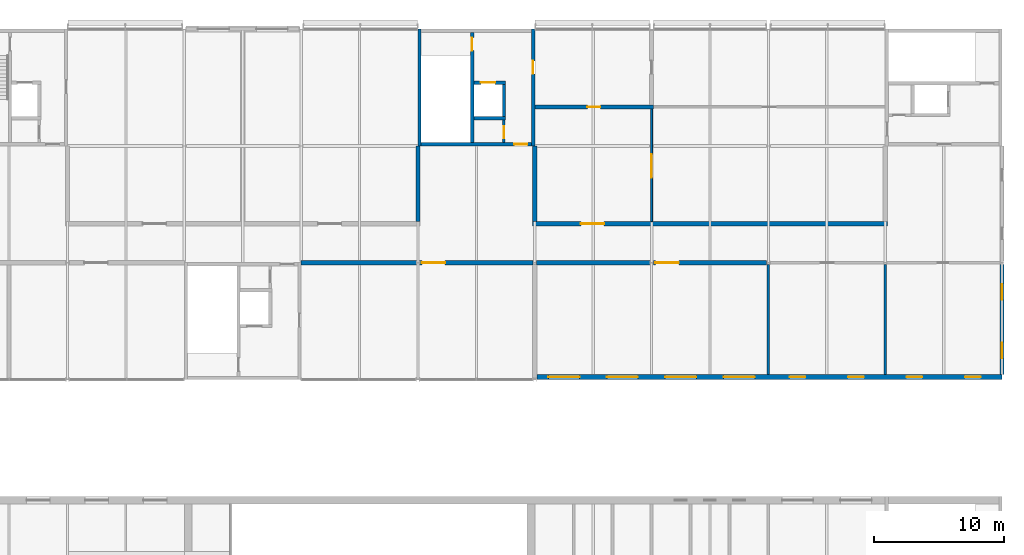
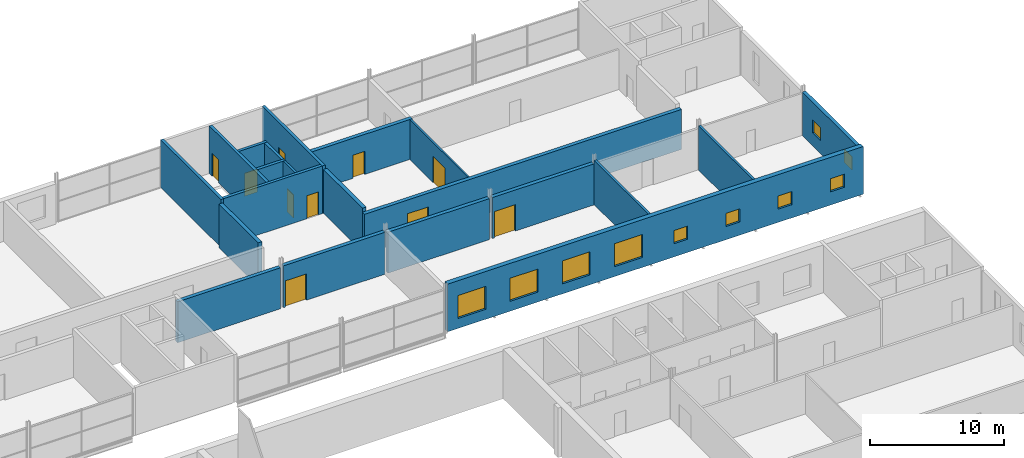
# One storey, part 130 of 138: 21 walls, 10 doors, 10 windows, 20 openings.
"""IFC4 building model written with IfcOpenShell, lengths in metres."""

from ifc_helpers import new_model, si_unit, direction, frame, frame_2d, origin, place, context, subcontext, project, spatial, rectangle, extrude, material, layer, layer_set, type_object, element, fill, save


model = new_model("IFC4")

# Units and contexts
model_context = context("Model", 3, precision=1e-05, world=origin(), true_north=direction((0.0, 1.0)))
body_context = subcontext(model_context, "Body", "Model", "MODEL_VIEW")
ifc_project = project(units=[si_unit("LENGTHUNIT", "METRE"), si_unit("AREAUNIT", "SQUARE_METRE"), si_unit("VOLUMEUNIT", "CUBIC_METRE"), si_unit("PLANEANGLEUNIT", "RADIAN"), si_unit("MASSUNIT", "GRAM", prefix="KILO")], contexts=[model_context])

# Site, building, storey
site_placement = place(None, origin())
site = spatial("IfcSite", under=ifc_project, at=site_placement, CompositionType="ELEMENT")
building_placement = place(site_placement, origin())
building = spatial("IfcBuilding", under=site, at=building_placement, Name="Corbel Yard City Hall", CompositionType="ELEMENT")
storey_placement = place(building_placement, frame((0.0, 0.0, 10.5)))
storey = spatial("IfcBuildingStorey", under=building, at=storey_placement, Name="L02", CompositionType="ELEMENT", Elevation=10.5)

# Wall, openings, windows
ifc_material_1 = material(Name="Concrete N50 (50 MPa)", Category="concrete")
ifc_layer_1 = layer(ifc_material_1, 0.39990234375)
ifc_layer_set_1 = layer_set([ifc_layer_1], Name="Concrete N50 (50 MPa)")
wall_type_1 = type_object("IfcWallType", Name="Bearing wall 400", PredefinedType="SHEAR", material=ifc_layer_set_1)
wall_1_placement = place(storey_placement, frame((144.159912109375, 90.199951171875, 0.0), z_axis=(0.0, 0.0, 1.0), x_axis=(1.0, 0.0, 0.0)))
wall_1 = element("IfcWall", 1, at=wall_1_placement, inside=storey, type_object=wall_type_1, Name="Bearing wall L02 above the ramp trough", PredefinedType="SHEAR", context=body_context, shape_type="SweptSolid", body=[
    extrude(rectangle(XDim=35.840087890625, YDim=0.39990234375, at=frame_2d((17.919921875, 0.0))), origin(), (0.0, 0.0, 1.0), 4.35009765625),
])
opening_1_placement = place(wall_1_placement, frame((0.889892578125, 0.0, 0.89990234375)))
opening_1 = element("IfcOpeningElement", 2, at=opening_1_placement, cuts=wall_1, Name="Opening WN8", PredefinedType="OPENING", context=body_context, shape_type="SweptSolid", body=[
    extrude(rectangle(XDim=2.39990234375, YDim=2.10009765625, at=frame_2d((1.199951171875, 1.050048828125))), frame((0.0, 0.2099609375, 0.0), z_axis=(0.0, -1.0, 0.0), x_axis=(1.0, 0.0, 0.0)), (0.0, 0.0, 1.0), 0.419921875),
])
opening_2_placement = place(wall_1_placement, frame((5.389892578125, 0.0, 0.89990234375)))
opening_2 = element("IfcOpeningElement", 3, at=opening_2_placement, cuts=wall_1, Name="Opening WN8", PredefinedType="OPENING", context=body_context, shape_type="SweptSolid", body=[
    extrude(rectangle(XDim=2.39990234375, YDim=2.10009765625, at=frame_2d((1.199951171875, 1.050048828125))), frame((0.0, 0.2099609375, 0.0), z_axis=(0.0, -1.0, 0.0), x_axis=(1.0, 0.0, 0.0)), (0.0, 0.0, 1.0), 0.419921875),
])
opening_3_placement = place(wall_1_placement, frame((9.889892578125, 0.0, 0.89990234375)))
opening_3 = element("IfcOpeningElement", 4, at=opening_3_placement, cuts=wall_1, Name="Opening WN8", PredefinedType="OPENING", context=body_context, shape_type="SweptSolid", body=[
    extrude(rectangle(XDim=2.39990234375, YDim=2.10009765625, at=frame_2d((1.199951171875, 1.050048828125))), frame((0.0, 0.2099609375, 0.0), z_axis=(0.0, -1.0, 0.0), x_axis=(1.0, 0.0, 0.0)), (0.0, 0.0, 1.0), 0.419921875),
])
opening_4_placement = place(wall_1_placement, frame((14.389892578125, 0.0, 0.89990234375)))
opening_4 = element("IfcOpeningElement", 5, at=opening_4_placement, cuts=wall_1, Name="Opening WN8", PredefinedType="OPENING", context=body_context, shape_type="SweptSolid", body=[
    extrude(rectangle(XDim=2.39990234375, YDim=2.10009765625, at=frame_2d((1.199951171875, 1.050048828125))), frame((0.0, 0.2099609375, 0.0), z_axis=(0.0, -1.0, 0.0), x_axis=(1.0, 0.0, 0.0)), (0.0, 0.0, 1.0), 0.419921875),
])
opening_5_placement = place(wall_1_placement, frame((19.489990234375, 0.0, 1.199951171875)))
opening_5 = element("IfcOpeningElement", 6, at=opening_5_placement, cuts=wall_1, Name="Opening WN13", PredefinedType="OPENING", context=body_context, shape_type="SweptSolid", body=[
    extrude(rectangle(XDim=1.199951171875, YDim=1.199951171875, at=frame_2d((0.60009765625, 0.60009765625))), frame((0.0, 0.2099609375, 0.0), z_axis=(0.0, -1.0, 0.0), x_axis=(1.0, 0.0, 0.0)), (0.0, 0.0, 1.0), 0.419921875),
])
opening_6_placement = place(wall_1_placement, frame((23.989990234375, 0.0, 1.199951171875)))
opening_6 = element("IfcOpeningElement", 7, at=opening_6_placement, cuts=wall_1, Name="Opening WN13", PredefinedType="OPENING", context=body_context, shape_type="SweptSolid", body=[
    extrude(rectangle(XDim=1.199951171875, YDim=1.199951171875, at=frame_2d((0.60009765625, 0.60009765625))), frame((0.0, 0.2099609375, 0.0), z_axis=(0.0, -1.0, 0.0), x_axis=(1.0, 0.0, 0.0)), (0.0, 0.0, 1.0), 0.419921875),
])
opening_7_placement = place(wall_1_placement, frame((28.489990234375, 0.0, 1.199951171875)))
opening_7 = element("IfcOpeningElement", 8, at=opening_7_placement, cuts=wall_1, Name="Opening WN13", PredefinedType="OPENING", context=body_context, shape_type="SweptSolid", body=[
    extrude(rectangle(XDim=1.199951171875, YDim=1.199951171875, at=frame_2d((0.60009765625, 0.60009765625))), frame((0.0, 0.2099609375, 0.0), z_axis=(0.0, -1.0, 0.0), x_axis=(1.0, 0.0, 0.0)), (0.0, 0.0, 1.0), 0.419921875),
])
opening_8_placement = place(wall_1_placement, frame((32.989990234375, 0.0, 1.199951171875)))
opening_8 = element("IfcOpeningElement", 9, at=opening_8_placement, cuts=wall_1, Name="Opening WN13", PredefinedType="OPENING", context=body_context, shape_type="SweptSolid", body=[
    extrude(rectangle(XDim=1.199951171875, YDim=1.199951171875, at=frame_2d((0.60009765625, 0.60009765625))), frame((0.0, 0.2099609375, 0.0), z_axis=(0.0, -1.0, 0.0), x_axis=(1.0, 0.0, 0.0)), (0.0, 0.0, 1.0), 0.419921875),
])
ifc_material_2 = material(Name="Aluminium frame, double glazed low-e glass", Category="aluminium")
window_type_1 = type_object("IfcWindowType", Name="WN13", PartitioningType="SINGLE_PANEL", PredefinedType="WINDOW", material=ifc_material_2)
window_1_placement = place(opening_5_placement, origin())
window_1 = element("IfcWindow", 10, at=window_1_placement, inside=storey, type_object=window_type_1, Name="Window WN13 L02", OverallHeight=1.199951171875, OverallWidth=1.199951171875, PartitioningType="SINGLE_PANEL", PredefinedType="WINDOW", context=body_context, shape_type="SweptSolid", body=[
    extrude(rectangle(XDim=1.199951171875, YDim=1.199951171875, at=frame_2d((0.60009765625, 0.60009765625))), frame((0.0, 0.030029296875, 0.0), z_axis=(0.0, -1.0, 0.0), x_axis=(1.0, 0.0, 0.0)), (0.0, 0.0, 1.0), 0.06005859375),
])
fill(opening_5, window_1)
window_2_placement = place(opening_6_placement, origin())
window_2 = element("IfcWindow", 11, at=window_2_placement, inside=storey, type_object=window_type_1, Name="Window WN13 L02", OverallHeight=1.199951171875, OverallWidth=1.199951171875, PartitioningType="SINGLE_PANEL", PredefinedType="WINDOW", context=body_context, shape_type="SweptSolid", body=[
    extrude(rectangle(XDim=1.199951171875, YDim=1.199951171875, at=frame_2d((0.60009765625, 0.60009765625))), frame((0.0, 0.030029296875, 0.0), z_axis=(0.0, -1.0, 0.0), x_axis=(1.0, 0.0, 0.0)), (0.0, 0.0, 1.0), 0.06005859375),
])
fill(opening_6, window_2)
window_3_placement = place(opening_7_placement, origin())
window_3 = element("IfcWindow", 12, at=window_3_placement, inside=storey, type_object=window_type_1, Name="Window WN13 L02", OverallHeight=1.199951171875, OverallWidth=1.199951171875, PartitioningType="SINGLE_PANEL", PredefinedType="WINDOW", context=body_context, shape_type="SweptSolid", body=[
    extrude(rectangle(XDim=1.199951171875, YDim=1.199951171875, at=frame_2d((0.60009765625, 0.60009765625))), frame((0.0, 0.030029296875, 0.0), z_axis=(0.0, -1.0, 0.0), x_axis=(1.0, 0.0, 0.0)), (0.0, 0.0, 1.0), 0.06005859375),
])
fill(opening_7, window_3)
window_4_placement = place(opening_8_placement, origin())
window_4 = element("IfcWindow", 13, at=window_4_placement, inside=storey, type_object=window_type_1, Name="Window WN13 L02", OverallHeight=1.199951171875, OverallWidth=1.199951171875, PartitioningType="SINGLE_PANEL", PredefinedType="WINDOW", context=body_context, shape_type="SweptSolid", body=[
    extrude(rectangle(XDim=1.199951171875, YDim=1.199951171875, at=frame_2d((0.60009765625, 0.60009765625))), frame((0.0, 0.030029296875, 0.0), z_axis=(0.0, -1.0, 0.0), x_axis=(1.0, 0.0, 0.0)), (0.0, 0.0, 1.0), 0.06005859375),
])
fill(opening_8, window_4)
window_type_2 = type_object("IfcWindowType", Name="WN8", PartitioningType="SINGLE_PANEL", PredefinedType="WINDOW", material=ifc_material_2)
window_5_placement = place(opening_1_placement, origin())
window_5 = element("IfcWindow", 14, at=window_5_placement, inside=storey, type_object=window_type_2, Name="Window WN8 L02", OverallHeight=2.10009765625, OverallWidth=2.39990234375, PartitioningType="SINGLE_PANEL", PredefinedType="WINDOW", context=body_context, shape_type="SweptSolid", body=[
    extrude(rectangle(XDim=2.39990234375, YDim=2.10009765625, at=frame_2d((1.199951171875, 1.050048828125))), frame((0.0, 0.030029296875, 0.0), z_axis=(0.0, -1.0, 0.0), x_axis=(1.0, 0.0, 0.0)), (0.0, 0.0, 1.0), 0.06005859375),
])
fill(opening_1, window_5)
window_6_placement = place(opening_2_placement, origin())
window_6 = element("IfcWindow", 15, at=window_6_placement, inside=storey, type_object=window_type_2, Name="Window WN8 L02", OverallHeight=2.10009765625, OverallWidth=2.39990234375, PartitioningType="SINGLE_PANEL", PredefinedType="WINDOW", context=body_context, shape_type="SweptSolid", body=[
    extrude(rectangle(XDim=2.39990234375, YDim=2.10009765625, at=frame_2d((1.199951171875, 1.050048828125))), frame((0.0, 0.030029296875, 0.0), z_axis=(0.0, -1.0, 0.0), x_axis=(1.0, 0.0, 0.0)), (0.0, 0.0, 1.0), 0.06005859375),
])
fill(opening_2, window_6)
window_7_placement = place(opening_3_placement, origin())
window_7 = element("IfcWindow", 16, at=window_7_placement, inside=storey, type_object=window_type_2, Name="Window WN8 L02", OverallHeight=2.10009765625, OverallWidth=2.39990234375, PartitioningType="SINGLE_PANEL", PredefinedType="WINDOW", context=body_context, shape_type="SweptSolid", body=[
    extrude(rectangle(XDim=2.39990234375, YDim=2.10009765625, at=frame_2d((1.199951171875, 1.050048828125))), frame((0.0, 0.030029296875, 0.0), z_axis=(0.0, -1.0, 0.0), x_axis=(1.0, 0.0, 0.0)), (0.0, 0.0, 1.0), 0.06005859375),
])
fill(opening_3, window_7)
window_8_placement = place(opening_4_placement, origin())
window_8 = element("IfcWindow", 17, at=window_8_placement, inside=storey, type_object=window_type_2, Name="Window WN8 L02", OverallHeight=2.10009765625, OverallWidth=2.39990234375, PartitioningType="SINGLE_PANEL", PredefinedType="WINDOW", context=body_context, shape_type="SweptSolid", body=[
    extrude(rectangle(XDim=2.39990234375, YDim=2.10009765625, at=frame_2d((1.199951171875, 1.050048828125))), frame((0.0, 0.030029296875, 0.0), z_axis=(0.0, -1.0, 0.0), x_axis=(1.0, 0.0, 0.0)), (0.0, 0.0, 1.0), 0.06005859375),
])
fill(opening_4, window_8)

# Wall
ifc_layer_2 = layer(ifc_material_1, 0.25)
ifc_layer_set_2 = layer_set([ifc_layer_2], Name="Concrete N50 (50 MPa)")
wall_type_2 = type_object("IfcWallType", Name="Core cell wall 250", PredefinedType="SHEAR", material=ifc_layer_set_2)
wall_2_placement = place(storey_placement, frame((135.125, 108.0, 0.0), z_axis=(0.0, 0.0, 1.0), x_axis=(0.0, 1.0, 0.0)))
element("IfcWall", 18, at=wall_2_placement, inside=storey, type_object=wall_type_2, Name="Core PC-N3 west wall", PredefinedType="SHEAR", context=body_context, shape_type="SweptSolid", body=[
    extrude(rectangle(XDim=9.0, YDim=0.25, at=frame_2d((4.5, 0.0))), origin(), (0.0, 0.0, 1.0), 4.35009765625),
])

# Wall, opening, door
wall_3_placement = place(storey_placement, frame((143.875, 108.0, 0.0), z_axis=(0.0, 0.0, 1.0), x_axis=(0.0, 1.0, 0.0)))
wall_3 = element("IfcWall", 19, at=wall_3_placement, inside=storey, type_object=wall_type_2, Name="Core PC-N3 east wall", PredefinedType="SHEAR", context=body_context, shape_type="SweptSolid", body=[
    extrude(rectangle(XDim=9.0, YDim=0.25, at=frame_2d((4.5, 0.0))), origin(), (0.0, 0.0, 1.0), 4.35009765625),
])
opening_9_placement = place(wall_3_placement, frame((5.550048828125, 0.0, 0.0)))
opening_9 = element("IfcOpeningElement", 20, at=opening_9_placement, cuts=wall_3, Name="Opening L02-144", PredefinedType="OPENING", context=body_context, shape_type="SweptSolid", body=[
    extrude(rectangle(XDim=1.0, YDim=2.10009765625, at=frame_2d((0.5, 1.050048828125))), frame((0.0, 0.135009765625, 0.0), z_axis=(0.0, -1.0, 0.0), x_axis=(1.0, 0.0, 0.0)), (0.0, 0.0, 1.0), 0.27001953125),
])
ifc_material_3 = material(Name="Steel Grade G250", Category="steel")
door_type_1 = type_object("IfcDoorType", Name="FS1", OperationType="SINGLE_SWING_LEFT", PredefinedType="DOOR", material=ifc_material_3)
door_1_placement = place(opening_9_placement, frame((1.0, 0.0, 0.0), z_axis=(0.0, 0.0, 1.0), x_axis=(-1.0, 0.0, 0.0)))
door_1 = element("IfcDoor", 21, at=door_1_placement, inside=storey, type_object=door_type_1, Name="Door Lift Lobby", OperationType="SINGLE_SWING_RIGHT", OverallHeight=2.10009765625, OverallWidth=1.0, PredefinedType="DOOR", context=body_context, shape_type="SweptSolid", body=[
    extrude(rectangle(XDim=1.0, YDim=2.10009765625, at=frame_2d((0.5, 1.050048828125))), frame((0.0, 0.02490234375, 0.0), z_axis=(0.0, -1.0, 0.0), x_axis=(1.0, 0.0, 0.0)), (0.0, 0.0, 1.0), 0.050048828125),
])
fill(opening_9, door_1)

wall_4_placement = place(storey_placement, frame((135.25, 108.125, 0.0), z_axis=(0.0, 0.0, 1.0), x_axis=(1.0, 0.0, 0.0)))
wall_4 = element("IfcWall", 22, at=wall_4_placement, inside=storey, type_object=wall_type_2, Name="Core PC-N3 south wall", PredefinedType="SHEAR", context=body_context, shape_type="SweptSolid", body=[
    extrude(rectangle(XDim=8.5, YDim=0.25, at=frame_2d((4.25, 0.0))), origin(), (0.0, 0.0, 1.0), 4.35009765625),
])
opening_10_placement = place(wall_4_placement, frame((7.175048828125, 0.0, 0.0)))
opening_10 = element("IfcOpeningElement", 23, at=opening_10_placement, cuts=wall_4, Name="Opening L02-143", PredefinedType="OPENING", context=body_context, shape_type="SweptSolid", body=[
    extrude(rectangle(XDim=1.0, YDim=2.10009765625, at=frame_2d((0.5, 1.050048828125))), frame((0.0, 0.135009765625, 0.0), z_axis=(0.0, -1.0, 0.0), x_axis=(1.0, 0.0, 0.0)), (0.0, 0.0, 1.0), 0.27001953125),
])
door_2_placement = place(opening_10_placement, origin())
door_2 = element("IfcDoor", 24, at=door_2_placement, inside=storey, type_object=door_type_1, Name="Door Lift Lobby", OperationType="SINGLE_SWING_RIGHT", OverallHeight=2.10009765625, OverallWidth=1.0, PredefinedType="DOOR", context=body_context, shape_type="SweptSolid", body=[
    extrude(rectangle(XDim=1.0, YDim=2.10009765625, at=frame_2d((0.5, 1.050048828125))), frame((0.0, 0.02490234375, 0.0), z_axis=(0.0, -1.0, 0.0), x_axis=(1.0, 0.0, 0.0)), (0.0, 0.0, 1.0), 0.050048828125),
])
fill(opening_10, door_2)

# Wall, openings, windows
ifc_material_4 = material(Name="Sandstone cladding", Category="masonry")
ifc_layer_3 = layer(ifc_material_4, 0.0400390625)
ifc_material_5 = material(Name="Air cavity", Category="air")
ifc_layer_4 = layer(ifc_material_5, 0.0400390625)
ifc_material_6 = material(Name="Concrete block", Category="concrete")
ifc_layer_5 = layer(ifc_material_6, 0.18994140625)
ifc_material_7 = material(Name="Gypsum plasterboard", Category="gypsum")
ifc_layer_6 = layer(ifc_material_7, 0.030029296875)
ifc_layer_set_3 = layer_set([ifc_layer_3, ifc_layer_4, ifc_layer_5, ifc_layer_6], Name="Concrete block")
wall_type_3 = type_object("IfcWallType", Name="EW1", PredefinedType="SOLIDWALL", material=ifc_layer_set_3)
wall_5_placement = place(storey_placement, frame((180.0, 90.39990234375, 0.0), z_axis=(0.0, 0.0, 1.0), x_axis=(0.0, 1.0, 0.0)))
wall_5 = element("IfcWall", 25, at=wall_5_placement, inside=storey, type_object=wall_type_3, Name="External wall", PredefinedType="SOLIDWALL", context=body_context, shape_type="SweptSolid", body=[
    extrude(rectangle(XDim=8.47314453125, YDim=0.300048828125, at=frame_2d((4.236572265625, 0.0))), origin(), (0.0, 0.0, 1.0), 3.990966796875),
])
opening_11_placement = place(wall_5_placement, frame((1.25, 0.0, 1.199951171875)))
opening_11 = element("IfcOpeningElement", 26, at=opening_11_placement, cuts=wall_5, Name="Opening WN13", PredefinedType="OPENING", context=body_context, shape_type="SweptSolid", body=[
    extrude(rectangle(XDim=1.199951171875, YDim=1.199951171875, at=frame_2d((0.60009765625, 0.60009765625))), frame((0.0, 0.159912109375, 0.0), z_axis=(0.0, -1.0, 0.0), x_axis=(1.0, 0.0, 0.0)), (0.0, 0.0, 1.0), 0.320068359375),
])
opening_12_placement = place(wall_5_placement, frame((5.75, 0.0, 1.199951171875)))
opening_12 = element("IfcOpeningElement", 27, at=opening_12_placement, cuts=wall_5, Name="Opening WN13", PredefinedType="OPENING", context=body_context, shape_type="SweptSolid", body=[
    extrude(rectangle(XDim=1.199951171875, YDim=1.199951171875, at=frame_2d((0.60009765625, 0.60009765625))), frame((0.0, 0.159912109375, 0.0), z_axis=(0.0, -1.0, 0.0), x_axis=(1.0, 0.0, 0.0)), (0.0, 0.0, 1.0), 0.320068359375),
])
window_9_placement = place(opening_11_placement, origin())
window_9 = element("IfcWindow", 28, at=window_9_placement, inside=storey, type_object=window_type_1, Name="Window WN13 L02", OverallHeight=1.199951171875, OverallWidth=1.199951171875, PartitioningType="SINGLE_PANEL", PredefinedType="WINDOW", context=body_context, shape_type="SweptSolid", body=[
    extrude(rectangle(XDim=1.199951171875, YDim=1.199951171875, at=frame_2d((0.60009765625, 0.60009765625))), frame((0.0, 0.030029296875, 0.0), z_axis=(0.0, -1.0, 0.0), x_axis=(1.0, 0.0, 0.0)), (0.0, 0.0, 1.0), 0.06005859375),
])
fill(opening_11, window_9)
window_10_placement = place(opening_12_placement, origin())
window_10 = element("IfcWindow", 29, at=window_10_placement, inside=storey, type_object=window_type_1, Name="Window WN13 L02", OverallHeight=1.199951171875, OverallWidth=1.199951171875, PartitioningType="SINGLE_PANEL", PredefinedType="WINDOW", context=body_context, shape_type="SweptSolid", body=[
    extrude(rectangle(XDim=1.199951171875, YDim=1.199951171875, at=frame_2d((0.60009765625, 0.60009765625))), frame((0.0, 0.030029296875, 0.0), z_axis=(0.0, -1.0, 0.0), x_axis=(1.0, 0.0, 0.0)), (0.0, 0.0, 1.0), 0.06005859375),
])
fill(opening_12, window_10)

# Wall, opening, door
ifc_material_8 = material(Name="Concrete N40 (40 MPa)", Category="concrete")
ifc_layer_7 = layer(ifc_material_8, 0.25)
ifc_layer_set_4 = layer_set([ifc_layer_7], Name="Concrete N40 (40 MPa)")
wall_type_4 = type_object("IfcWallType", Name="IW2", PredefinedType="SOLIDWALL", material=ifc_layer_set_4)
wall_6_placement = place(storey_placement, frame((139.175048828125, 116.75, 0.0), z_axis=(0.0, 0.0, 1.0), x_axis=(0.0, -1.0, 0.0)))
wall_6 = element("IfcWall", 30, at=wall_6_placement, inside=storey, type_object=wall_type_4, Name="Stair enclosure wall", PredefinedType="SOLIDWALL", context=body_context, shape_type="SweptSolid", body=[
    extrude(rectangle(XDim=8.5, YDim=0.25, at=frame_2d((4.25, 0.0))), origin(), (0.0, 0.0, 1.0), 4.35009765625),
])
opening_13_placement = place(wall_6_placement, frame((0.39990234375, 0.0, 0.0)))
opening_13 = element("IfcOpeningElement", 31, at=opening_13_placement, cuts=wall_6, Name="Opening L02-131", PredefinedType="OPENING", context=body_context, shape_type="SweptSolid", body=[
    extrude(rectangle(XDim=1.0, YDim=2.10009765625, at=frame_2d((0.5, 1.050048828125))), frame((0.0, 0.135009765625, 0.0), z_axis=(0.0, -1.0, 0.0), x_axis=(1.0, 0.0, 0.0)), (0.0, 0.0, 1.0), 0.27001953125),
])
door_3_placement = place(opening_13_placement, frame((1.0, 0.0, 0.0), z_axis=(0.0, 0.0, 1.0), x_axis=(-1.0, 0.0, 0.0)))
door_3 = element("IfcDoor", 32, at=door_3_placement, inside=storey, type_object=door_type_1, Name="Door Exit Stair 18", OperationType="SINGLE_SWING_RIGHT", OverallHeight=2.10009765625, OverallWidth=1.0, PredefinedType="DOOR", context=body_context, shape_type="SweptSolid", body=[
    extrude(rectangle(XDim=1.0, YDim=2.10009765625, at=frame_2d((0.5, 1.050048828125))), frame((0.0, 0.02490234375, 0.0), z_axis=(0.0, -1.0, 0.0), x_axis=(1.0, 0.0, 0.0)), (0.0, 0.0, 1.0), 0.050048828125),
])
fill(opening_13, door_3)

# Wall
wall_7_placement = place(storey_placement, frame((139.300048828125, 110.125, 0.0), z_axis=(0.0, 0.0, 1.0), x_axis=(1.0, 0.0, 0.0)))
element("IfcWall", 33, at=wall_7_placement, inside=storey, type_object=wall_type_4, Name="Lift LP18 shaft wall", PredefinedType="SOLIDWALL", context=body_context, shape_type="SweptSolid", body=[
    extrude(rectangle(XDim=2.449951171875, YDim=0.25, at=frame_2d((1.22509765625, 0.0))), origin(), (0.0, 0.0, 1.0), 4.35009765625),
])

# Wall, opening, door
wall_8_placement = place(storey_placement, frame((139.300048828125, 112.875, 0.0), z_axis=(0.0, 0.0, 1.0), x_axis=(1.0, 0.0, 0.0)))
wall_8 = element("IfcWall", 34, at=wall_8_placement, inside=storey, type_object=wall_type_4, Name="Lift LP18 shaft wall", PredefinedType="SOLIDWALL", context=body_context, shape_type="SweptSolid", body=[
    extrude(rectangle(XDim=2.449951171875, YDim=0.25, at=frame_2d((1.22509765625, 0.0))), origin(), (0.0, 0.0, 1.0), 4.35009765625),
])
opening_14_placement = place(wall_8_placement, frame((0.550048828125, 0.0, 0.0)))
opening_14 = element("IfcOpeningElement", 35, at=opening_14_placement, cuts=wall_8, Name="Opening L02-123", PredefinedType="OPENING", context=body_context, shape_type="SweptSolid", body=[
    extrude(rectangle(XDim=1.10009765625, YDim=2.10009765625, at=frame_2d((0.550048828125, 1.050048828125))), frame((0.0, 0.135009765625, 0.0), z_axis=(0.0, -1.0, 0.0), x_axis=(1.0, 0.0, 0.0)), (0.0, 0.0, 1.0), 0.27001953125),
])
ifc_material_9 = material(Name="Stainless steel Grade 316", Category="steel")
door_type_2 = type_object("IfcDoorType", Name="LD1", OperationType="DOUBLE_DOOR_SLIDING", PredefinedType="DOOR", material=ifc_material_9)
door_4_placement = place(opening_14_placement, origin())
door_4 = element("IfcDoor", 36, at=door_4_placement, inside=storey, type_object=door_type_2, Name="Lift LP18 landing door", OperationType="DOUBLE_DOOR_SLIDING", OverallHeight=2.10009765625, OverallWidth=1.10009765625, PredefinedType="DOOR", context=body_context, shape_type="SweptSolid", body=[
    extrude(rectangle(XDim=1.10009765625, YDim=2.10009765625, at=frame_2d((0.550048828125, 1.050048828125))), frame((0.0, 0.02490234375, 0.0), z_axis=(0.0, -1.0, 0.0), x_axis=(1.0, 0.0, 0.0)), (0.0, 0.0, 1.0), 0.050048828125),
])
fill(opening_14, door_4)

# Walls
wall_9_placement = place(storey_placement, frame((141.625, 110.25, 0.0), z_axis=(0.0, 0.0, 1.0), x_axis=(0.0, 1.0, 0.0)))
element("IfcWall", 37, at=wall_9_placement, inside=storey, type_object=wall_type_4, Name="Lift LP18 shaft wall", PredefinedType="SOLIDWALL", context=body_context, shape_type="SweptSolid", body=[
    extrude(rectangle(XDim=2.5, YDim=0.25, at=frame_2d((1.25, 0.0))), origin(), (0.0, 0.0, 1.0), 4.35009765625),
])
ifc_layer_8 = layer(ifc_material_7, 0.031982421875)
ifc_material_10 = material(Name="Steel Grade G550 (550 MPa yield)", Category="steel")
ifc_layer_9 = layer(ifc_material_10, 0.260986328125)
ifc_layer_10 = layer(ifc_material_7, 0.031982421875)
ifc_layer_set_5 = layer_set([ifc_layer_8, ifc_layer_9, ifc_layer_10], Name="Steel Grade G550 (550 MPa yield)")
wall_type_5 = type_object("IfcWallType", Name="PT20", PredefinedType="PARTITIONING", material=ifc_layer_set_5)
wall_10_placement = place(storey_placement, frame((126.0, 99.0, 0.0), z_axis=(0.0, 0.0, 1.0), x_axis=(1.0, 0.0, 0.0)))
element("IfcWall", 38, at=wall_10_placement, inside=storey, type_object=wall_type_5, Name="Acoustic partition", PredefinedType="PARTITIONING", context=body_context, shape_type="SweptSolid", body=[
    extrude(rectangle(XDim=8.8701171875, YDim=0.324951171875, at=frame_2d((4.43505859375, 0.0))), origin(), (0.0, 0.0, 1.0), 3.738037109375),
])

# Wall, opening, door
wall_11_placement = place(storey_placement, frame((135.1298828125, 99.0, 0.0), z_axis=(0.0, 0.0, 1.0), x_axis=(1.0, 0.0, 0.0)))
wall_11 = element("IfcWall", 39, at=wall_11_placement, inside=storey, type_object=wall_type_5, Name="Acoustic partition", PredefinedType="PARTITIONING", context=body_context, shape_type="SweptSolid", body=[
    extrude(rectangle(XDim=8.740234375, YDim=0.324951171875, at=frame_2d((4.3701171875, 0.0))), origin(), (0.0, 0.0, 1.0), 3.822021484375),
])
opening_15_placement = place(wall_11_placement, frame((0.169921875, 0.0, 0.0)))
opening_15 = element("IfcOpeningElement", 40, at=opening_15_placement, cuts=wall_11, Name="Opening L02-168", PredefinedType="OPENING", context=body_context, shape_type="SweptSolid", body=[
    extrude(rectangle(XDim=1.800048828125, YDim=2.39990234375, at=frame_2d((0.89990234375, 1.199951171875))), frame((0.0, 0.17236328125, 0.0), z_axis=(0.0, -1.0, 0.0), x_axis=(1.0, 0.0, 0.0)), (0.0, 0.0, 1.0), 0.344970703125),
])
ifc_material_11 = material(Name="Timber", Category="wood")
door_type_3 = type_object("IfcDoorType", Name="D38", OperationType="DOUBLE_DOOR_SINGLE_SWING", PredefinedType="DOOR", material=ifc_material_11)
door_5_placement = place(opening_15_placement, origin())
door_5 = element("IfcDoor", 41, at=door_5_placement, inside=storey, type_object=door_type_3, Name="Door Committee Room 21", OperationType="DOUBLE_DOOR_SINGLE_SWING", OverallHeight=2.39990234375, OverallWidth=1.800048828125, PredefinedType="DOOR", context=body_context, shape_type="SweptSolid", body=[
    extrude(rectangle(XDim=1.800048828125, YDim=2.39990234375, at=frame_2d((0.89990234375, 1.199951171875))), frame((0.0, 0.02490234375, 0.0), z_axis=(0.0, -1.0, 0.0), x_axis=(1.0, 0.0, 0.0)), (0.0, 0.0, 1.0), 0.050048828125),
])
fill(opening_15, door_5)

# Wall
wall_12_placement = place(storey_placement, frame((144.1298828125, 99.0, 0.0), z_axis=(0.0, 0.0, 1.0), x_axis=(1.0, 0.0, 0.0)))
element("IfcWall", 42, at=wall_12_placement, inside=storey, type_object=wall_type_5, Name="Acoustic partition", PredefinedType="PARTITIONING", context=body_context, shape_type="SweptSolid", body=[
    extrude(rectangle(XDim=8.740234375, YDim=0.324951171875, at=frame_2d((4.3701171875, 0.0))), origin(), (0.0, 0.0, 1.0), 3.738037109375),
])

# Wall, opening, door
wall_13_placement = place(storey_placement, frame((153.1298828125, 99.0, 0.0), z_axis=(0.0, 0.0, 1.0), x_axis=(1.0, 0.0, 0.0)))
wall_13 = element("IfcWall", 43, at=wall_13_placement, inside=storey, type_object=wall_type_5, Name="Acoustic partition", PredefinedType="PARTITIONING", context=body_context, shape_type="SweptSolid", body=[
    extrude(rectangle(XDim=8.740234375, YDim=0.324951171875, at=frame_2d((4.3701171875, 0.0))), origin(), (0.0, 0.0, 1.0), 3.738037109375),
])
opening_16_placement = place(wall_13_placement, frame((0.169921875, 0.0, 0.0)))
opening_16 = element("IfcOpeningElement", 44, at=opening_16_placement, cuts=wall_13, Name="Opening L02-169", PredefinedType="OPENING", context=body_context, shape_type="SweptSolid", body=[
    extrude(rectangle(XDim=1.800048828125, YDim=2.39990234375, at=frame_2d((0.89990234375, 1.199951171875))), frame((0.0, 0.17236328125, 0.0), z_axis=(0.0, -1.0, 0.0), x_axis=(1.0, 0.0, 0.0)), (0.0, 0.0, 1.0), 0.344970703125),
])
door_6_placement = place(opening_16_placement, origin())
door_6 = element("IfcDoor", 45, at=door_6_placement, inside=storey, type_object=door_type_3, Name="Door Committee Room 22", OperationType="DOUBLE_DOOR_SINGLE_SWING", OverallHeight=2.39990234375, OverallWidth=1.800048828125, PredefinedType="DOOR", context=body_context, shape_type="SweptSolid", body=[
    extrude(rectangle(XDim=1.800048828125, YDim=2.39990234375, at=frame_2d((0.89990234375, 1.199951171875))), frame((0.0, 0.02490234375, 0.0), z_axis=(0.0, -1.0, 0.0), x_axis=(1.0, 0.0, 0.0)), (0.0, 0.0, 1.0), 0.050048828125),
])
fill(opening_16, door_6)

wall_14_placement = place(storey_placement, frame((143.83740234375, 102.0, 0.0), z_axis=(0.0, 0.0, 1.0), x_axis=(1.0, 0.0, 0.0)))
wall_14 = element("IfcWall", 46, at=wall_14_placement, inside=storey, type_object=wall_type_5, Name="Acoustic partition", PredefinedType="PARTITIONING", context=body_context, shape_type="SweptSolid", body=[
    extrude(rectangle(XDim=27.3251953125, YDim=0.324951171875, at=frame_2d((13.66259765625, 0.0))), origin(), (0.0, 0.0, 1.0), 3.64990234375),
])
opening_17_placement = place(wall_14_placement, frame((3.71240234375, 0.0, 0.0)))
opening_17 = element("IfcOpeningElement", 47, at=opening_17_placement, cuts=wall_14, Name="Opening L02-177", PredefinedType="OPENING", context=body_context, shape_type="SweptSolid", body=[
    extrude(rectangle(XDim=1.800048828125, YDim=2.39990234375, at=frame_2d((0.89990234375, 1.199951171875))), frame((0.0, 0.17236328125, 0.0), z_axis=(0.0, -1.0, 0.0), x_axis=(1.0, 0.0, 0.0)), (0.0, 0.0, 1.0), 0.344970703125),
])
door_7_placement = place(opening_17_placement, origin())
door_7 = element("IfcDoor", 48, at=door_7_placement, inside=storey, type_object=door_type_3, Name="Door Lord Mayor's Anteroom", OperationType="DOUBLE_DOOR_SINGLE_SWING", OverallHeight=2.39990234375, OverallWidth=1.800048828125, PredefinedType="DOOR", context=body_context, shape_type="SweptSolid", body=[
    extrude(rectangle(XDim=1.800048828125, YDim=2.39990234375, at=frame_2d((0.89990234375, 1.199951171875))), frame((0.0, 0.02490234375, 0.0), z_axis=(0.0, -1.0, 0.0), x_axis=(1.0, 0.0, 0.0)), (0.0, 0.0, 1.0), 0.050048828125),
])
fill(opening_17, door_7)

wall_15_placement = place(storey_placement, frame((144.0, 111.0, 0.0), z_axis=(0.0, 0.0, 1.0), x_axis=(1.0, 0.0, 0.0)))
wall_15 = element("IfcWall", 49, at=wall_15_placement, inside=storey, type_object=wall_type_5, Name="Acoustic partition", PredefinedType="PARTITIONING", context=body_context, shape_type="SweptSolid", body=[
    extrude(rectangle(XDim=9.16259765625, YDim=0.324951171875, at=frame_2d((4.581298828125, 0.0))), origin(), (0.0, 0.0, 1.0), 3.64990234375),
])
opening_18_placement = place(wall_15_placement, frame((4.050048828125, 0.0, 0.0)))
opening_18 = element("IfcOpeningElement", 50, at=opening_18_placement, cuts=wall_15, Name="Opening L02-178", PredefinedType="OPENING", context=body_context, shape_type="SweptSolid", body=[
    extrude(rectangle(XDim=1.0, YDim=2.10009765625, at=frame_2d((0.5, 1.050048828125))), frame((0.0, 0.17236328125, 0.0), z_axis=(0.0, -1.0, 0.0), x_axis=(1.0, 0.0, 0.0)), (0.0, 0.0, 1.0), 0.344970703125),
])
door_type_4 = type_object("IfcDoorType", Name="D1", OperationType="SINGLE_SWING_LEFT", PredefinedType="DOOR", material=ifc_material_11)
door_8_placement = place(opening_18_placement, origin())
door_8 = element("IfcDoor", 51, at=door_8_placement, inside=storey, type_object=door_type_4, Name="Door Lord Mayor's Secretariat", OperationType="SINGLE_SWING_RIGHT", OverallHeight=2.10009765625, OverallWidth=1.0, PredefinedType="DOOR", context=body_context, shape_type="SweptSolid", body=[
    extrude(rectangle(XDim=1.0, YDim=2.10009765625, at=frame_2d((0.5, 1.050048828125))), frame((0.0, 0.02490234375, 0.0), z_axis=(0.0, -1.0, 0.0), x_axis=(1.0, 0.0, 0.0)), (0.0, 0.0, 1.0), 0.050048828125),
])
fill(opening_18, door_8)

# Walls
for number, where, z_axis, x_axis, name in (
    (52, (135.0, 102.16259765625, 0.0), (0.0, 0.0, 1.0), (0.0, 1.0, 0.0), "Acoustic partition"),
    (53, (144.0, 102.16259765625, 0.0), (0.0, 0.0, 1.0), (0.0, 1.0, 0.0), "Acoustic partition"),
):
    element("IfcWall", number, at=place(storey_placement, frame(where, z_axis=z_axis, x_axis=x_axis)), inside=storey, type_object=wall_type_5, Name=name, PredefinedType="PARTITIONING", context=body_context, shape_type="SweptSolid", body=[
        extrude(rectangle(XDim=5.83740234375, YDim=0.324951171875, at=frame_2d((2.918701171875, 0.0))), origin(), (0.0, 0.0, 1.0), 3.998046875),
    ])

# Wall, opening, door
ifc_material_12 = material(Name="Concrete block", Category="concrete")
ifc_layer_11 = layer(ifc_material_12, 0.18994140625)
ifc_layer_set_6 = layer_set([ifc_layer_11], Name="Concrete block")
wall_type_6 = type_object("IfcWallType", Name="PT4", PredefinedType="PARTITIONING", material=ifc_layer_set_6)
wall_16_placement = place(storey_placement, frame((141.625, 108.25, 0.0), z_axis=(0.0, 0.0, 1.0), x_axis=(0.0, 1.0, 0.0)))
wall_16 = element("IfcWall", 54, at=wall_16_placement, inside=storey, type_object=wall_type_6, Name="Fire-resisting block wall", PredefinedType="PARTITIONING", context=body_context, shape_type="SweptSolid", body=[
    extrude(rectangle(XDim=1.75, YDim=0.18994140625, at=frame_2d((0.875, 0.0))), origin(), (0.0, 0.0, 1.0), 4.35009765625),
])
opening_19_placement = place(wall_16_placement, frame((0.3525390625, 0.0, 0.0)))
opening_19 = element("IfcOpeningElement", 55, at=opening_19_placement, cuts=wall_16, Name="Opening L02-132", PredefinedType="OPENING", context=body_context, shape_type="SweptSolid", body=[
    extrude(rectangle(XDim=0.919921875, YDim=2.10009765625, at=frame_2d((0.4599609375, 1.050048828125))), frame((0.0, 0.10498046875, 0.0), z_axis=(0.0, -1.0, 0.0), x_axis=(1.0, 0.0, 0.0)), (0.0, 0.0, 1.0), 0.2099609375),
])
door_type_5 = type_object("IfcDoorType", Name="FS5", OperationType="SINGLE_SWING_RIGHT", PredefinedType="DOOR", material=ifc_material_3)
door_9_placement = place(opening_19_placement, origin())
door_9 = element("IfcDoor", 56, at=door_9_placement, inside=storey, type_object=door_type_5, Name="Door Service Riser", OperationType="SINGLE_SWING_LEFT", OverallHeight=2.10009765625, OverallWidth=0.919921875, PredefinedType="DOOR", context=body_context, shape_type="SweptSolid", body=[
    extrude(rectangle(XDim=0.919921875, YDim=2.10009765625, at=frame_2d((0.4599609375, 1.050048828125))), frame((0.0, 0.02490234375, 0.0), z_axis=(0.0, -1.0, 0.0), x_axis=(1.0, 0.0, 0.0)), (0.0, 0.0, 1.0), 0.050048828125),
])
fill(opening_19, door_9)

# Walls
for number, where, z_axis, x_axis, name in (
    (57, (162.0, 90.39990234375, 0.0), (0.0, 0.0, 1.0), (0.0, 1.0, 0.0), "Fire-resisting block wall"),
    (58, (171.0, 90.39990234375, 0.0), (0.0, 0.0, 1.0), (0.0, 1.0, 0.0), "Fire-resisting block wall"),
):
    element("IfcWall", number, at=place(storey_placement, frame(where, z_axis=z_axis, x_axis=x_axis)), inside=storey, type_object=wall_type_6, Name=name, PredefinedType="PARTITIONING", context=body_context, shape_type="SweptSolid", body=[
        extrude(rectangle(XDim=8.47021484375, YDim=0.18994140625, at=frame_2d((4.235107421875, 0.0))), origin(), (0.0, 0.0, 1.0), 4.04296875),
    ])

# Wall, opening, door
ifc_layer_12 = layer(ifc_material_7, 0.031982421875)
ifc_layer_13 = layer(ifc_material_10, 0.0859375)
ifc_layer_14 = layer(ifc_material_7, 0.031982421875)
ifc_layer_set_7 = layer_set([ifc_layer_12, ifc_layer_13, ifc_layer_14], Name="Steel Grade G550 (550 MPa yield)")
wall_type_7 = type_object("IfcWallType", Name="PT7", PredefinedType="PARTITIONING", material=ifc_layer_set_7)
wall_17_placement = place(storey_placement, frame((153.0, 102.16259765625, 0.0), z_axis=(0.0, 0.0, 1.0), x_axis=(0.0, 1.0, 0.0)))
wall_17 = element("IfcWall", 59, at=wall_17_placement, inside=storey, type_object=wall_type_7, Name="Suite partition", PredefinedType="PARTITIONING", context=body_context, shape_type="SweptSolid", body=[
    extrude(rectangle(XDim=8.6748046875, YDim=0.14990234375, at=frame_2d((4.33740234375, 0.0))), origin(), (0.0, 0.0, 1.0), 3.64990234375),
])
opening_20_placement = place(wall_17_placement, frame((3.387451171875, 0.0, 0.0)))
opening_20 = element("IfcOpeningElement", 60, at=opening_20_placement, cuts=wall_17, Name="Opening L02-179", PredefinedType="OPENING", context=body_context, shape_type="SweptSolid", body=[
    extrude(rectangle(XDim=1.800048828125, YDim=2.39990234375, at=frame_2d((0.89990234375, 1.199951171875))), frame((0.0, 0.0849609375, 0.0), z_axis=(0.0, -1.0, 0.0), x_axis=(1.0, 0.0, 0.0)), (0.0, 0.0, 1.0), 0.169921875),
])
door_10_placement = place(opening_20_placement, origin())
door_10 = element("IfcDoor", 61, at=door_10_placement, inside=storey, type_object=door_type_3, Name="Door Lord Mayor's Private Dining Room", OperationType="DOUBLE_DOOR_SINGLE_SWING", OverallHeight=2.39990234375, OverallWidth=1.800048828125, PredefinedType="DOOR", context=body_context, shape_type="SweptSolid", body=[
    extrude(rectangle(XDim=1.800048828125, YDim=2.39990234375, at=frame_2d((0.89990234375, 1.199951171875))), frame((0.0, 0.02490234375, 0.0), z_axis=(0.0, -1.0, 0.0), x_axis=(1.0, 0.0, 0.0)), (0.0, 0.0, 1.0), 0.050048828125),
])
fill(opening_20, door_10)

save(model, "model.ifc")
